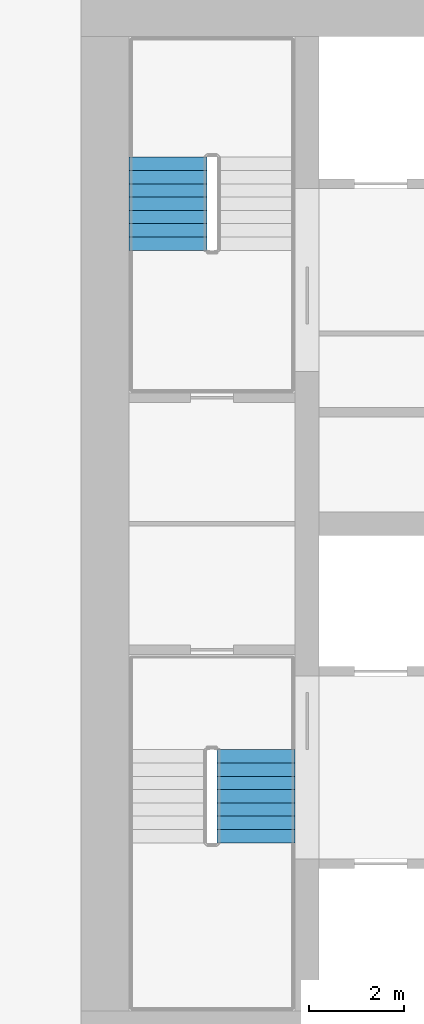
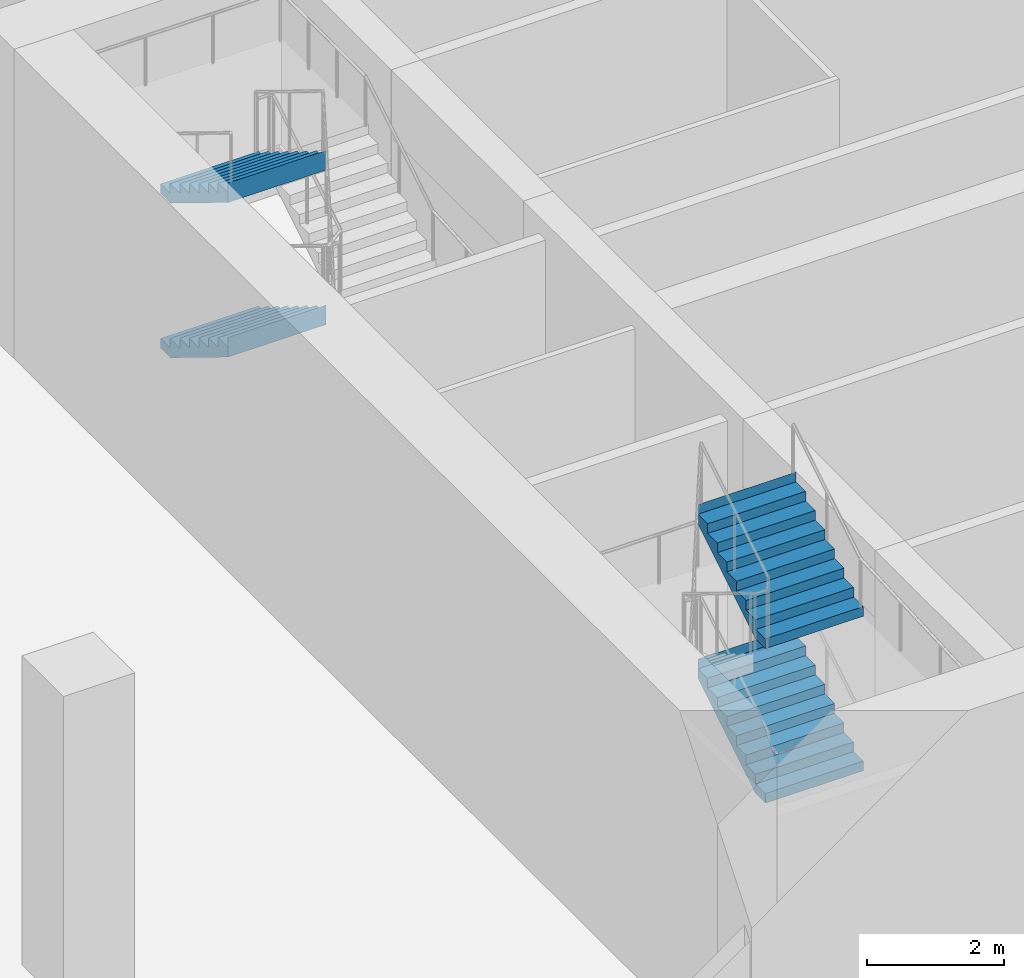
# One storey, part 14 of 25: 4 stair flights, 2 elements without a shape of their own.
"""IFC4 building model written with IfcOpenShell, lengths in metres."""

from ifc_helpers import new_model, si_unit, direction, frame, origin, place, context, subcontext, project, spatial, polyline, outline, extrude, material, type_object, element, aggregate, save


model = new_model("IFC4")

# Units and contexts
model_context = context("Model", 3, precision=1e-05, world=origin(), true_north=direction((0.0, 1.0)))
body_context = subcontext(model_context, "Body", "Model", "MODEL_VIEW")
ifc_project = project(units=[si_unit("LENGTHUNIT", "METRE"), si_unit("AREAUNIT", "SQUARE_METRE"), si_unit("VOLUMEUNIT", "CUBIC_METRE"), si_unit("PLANEANGLEUNIT", "RADIAN"), si_unit("MASSUNIT", "GRAM", prefix="KILO")], contexts=[model_context])

# Site, building, storey
site_placement = place(None, origin())
site = spatial("IfcSite", under=ifc_project, at=site_placement, CompositionType="ELEMENT")
building_placement = place(site_placement, origin())
building = spatial("IfcBuilding", under=site, at=building_placement, Name="Tamorin Gate", CompositionType="ELEMENT")
storey_placement = place(building_placement, frame((0.0, 0.0, 23.5)))
storey = spatial("IfcBuildingStorey", under=building, at=storey_placement, Name="L04", CompositionType="ELEMENT", Elevation=23.5)

# Stair, stair flights
ifc_material = material(Name="Concrete C40/50", Category="concrete")
stair_type = type_object("IfcStairType", Name="Exit stair", PredefinedType="HALF_TURN_STAIR", material=ifc_material)
stair_1_placement = place(storey_placement, origin())
stair_1 = element("IfcStair", 1, at=stair_1_placement, inside=storey, type_object=stair_type, Name="L04 stair ST1", PredefinedType="HALF_TURN_STAIR")
stair_flight_type = type_object("IfcStairFlightType", Name="Exit stair flight", PredefinedType="STRAIGHT", material=ifc_material)
stair_flight_1_placement = place(storey_placement, frame((33.675048828125, 64.5400390625, 1.375), z_axis=(0.0, 0.0, 1.0), x_axis=(0.0, 1.0, 0.0)))
stair_flight_1 = element("IfcStairFlight", 2, at=stair_flight_1_placement, type_object=stair_flight_type, Name="ST1 flight 2", NumberOfRisers=8, NumberOfTreads=7, PredefinedType="STRAIGHT", RiserHeight=0.171875, TreadLength=0.28, context=body_context, shape_type="SweptSolid", body=[
    extrude(outline(polyline([(-0.00048828125, 0.0), (-0.00048828125, 0.001708984375), (-0.00048828125, 0.00341796875), (-0.00048828125, 0.005126953125), (-0.00048828125, 0.0068359375), (-0.00048828125, 0.008544921875), (-0.00048828125, 0.01025390625), (-0.00048828125, 0.011962890625), (-0.00048828125, 0.013671875), (-0.00048828125, 0.015380859375), (-0.00048828125, 0.01708984375), (-0.00048828125, 0.018798828125), (-0.00048828125, 0.0205078125), (-0.00048828125, 0.022216796875), (-0.00048828125, 0.02392578125), (-0.00048828125, 0.025634765625), (-0.00048828125, 0.02734375), (-0.00048828125, 0.02880859375), (-0.00048828125, 0.030517578125), (-0.00048828125, 0.0322265625), (-0.00048828125, 0.033935546875), (-0.00048828125, 0.03564453125), (-0.00048828125, 0.037353515625), (-0.00048828125, 0.0390625), (-0.00048828125, 0.040771484375), (-0.00048828125, 0.04248046875), (-0.00048828125, 0.044189453125), (-0.00048828125, 0.0458984375), (-0.00048828125, 0.047607421875), (-0.00048828125, 0.04931640625), (-0.00048828125, 0.051025390625), (-0.00048828125, 0.052734375), (-0.00048828125, 0.054443359375), (-0.00048828125, 0.05615234375), (-0.00048828125, 0.057861328125), (-0.00048828125, 0.0595703125), (-0.00048828125, 0.061279296875), (-0.00048828125, 0.06298828125), (-0.00048828125, 0.064697265625), (-0.00048828125, 0.06640625), (-0.00048828125, 0.068115234375), (-0.00048828125, 0.06982421875), (-0.00048828125, 0.071533203125), (-0.00048828125, 0.0732421875), (-0.00048828125, 0.074951171875), (-0.00048828125, 0.07666015625), (-0.00048828125, 0.078369140625), (-0.00048828125, 0.080078125), (-0.00048828125, 0.081787109375), (-0.00048828125, 0.08349609375), (-0.00048828125, 0.085205078125), (-0.00048828125, 0.086669921875), (-0.00048828125, 0.08837890625), (-0.00048828125, 0.090087890625), (-0.00048828125, 0.091796875), (-0.00048828125, 0.093505859375), (-0.00048828125, 0.09521484375), (-0.00048828125, 0.096923828125), (-0.00048828125, 0.0986328125), (-0.00048828125, 0.100341796875), (-0.00048828125, 0.10205078125), (-0.00048828125, 0.103759765625), (-0.00048828125, 0.10546875), (-0.00048828125, 0.107177734375), (-0.00048828125, 0.10888671875), (-0.00048828125, 0.110595703125), (-0.00048828125, 0.1123046875), (-0.00048828125, 0.114013671875), (-0.00048828125, 0.11572265625), (-0.00048828125, 0.117431640625), (-0.00048828125, 0.119140625), (-0.00048828125, 0.120849609375), (-0.00048828125, 0.12255859375), (-0.00048828125, 0.124267578125), (-0.00048828125, 0.1259765625), (-0.00048828125, 0.127685546875), (-0.00048828125, 0.12939453125), (-0.00048828125, 0.131103515625), (-0.00048828125, 0.1328125), (-0.00048828125, 0.134521484375), (-0.00048828125, 0.13623046875), (-0.00048828125, 0.137939453125), (-0.00048828125, 0.1396484375), (-0.00048828125, 0.141357421875), (-0.00048828125, 0.14306640625), (-0.00048828125, 0.14453125), (-0.00048828125, 0.146240234375), (-0.00048828125, 0.14794921875), (-0.00048828125, 0.149658203125), (-0.00048828125, 0.1513671875), (-0.00048828125, 0.153076171875), (-0.00048828125, 0.15478515625), (-0.00048828125, 0.156494140625), (-0.00048828125, 0.158203125), (-0.00048828125, 0.159912109375), (-0.00048828125, 0.16162109375), (-0.00048828125, 0.163330078125), (-0.00048828125, 0.1650390625), (-0.00048828125, 0.166748046875), (-0.00048828125, 0.16845703125), (-0.00048828125, 0.170166015625), (-0.00048828125, 0.171875), (0.280029296875, 0.171875), (0.280029296875, 0.34375), (0.56005859375, 0.34375), (0.56005859375, 0.515625), (0.840087890625, 0.515625), (0.840087890625, 0.6875), (1.1201171875, 0.6875), (1.1201171875, 0.859375), (1.39990234375, 0.859375), (1.39990234375, 1.03125), (1.679931640625, 1.03125), (1.679931640625, 1.203125), (1.9599609375, 1.203125), (1.9599609375, 1.375), (1.96044921875, 1.375), (1.96044921875, 1.37158203125), (1.96044921875, 1.3681640625), (1.96044921875, 1.36474609375), (1.96044921875, 1.361328125), (1.96044921875, 1.357666015625), (1.96044921875, 1.354248046875), (1.96044921875, 1.350830078125), (1.96044921875, 1.347412109375), (1.96044921875, 1.343994140625), (1.96044921875, 1.340576171875), (1.96044921875, 1.337158203125), (1.96044921875, 1.333740234375), (1.96044921875, 1.330322265625), (1.96044921875, 1.326904296875), (1.96044921875, 1.3232421875), (1.96044921875, 1.31982421875), (1.96044921875, 1.31640625), (1.96044921875, 1.31298828125), (1.96044921875, 1.3095703125), (1.96044921875, 1.30615234375), (1.96044921875, 1.302734375), (1.96044921875, 1.29931640625), (1.96044921875, 1.2958984375), (1.96044921875, 1.29248046875), (1.96044921875, 1.288818359375), (1.96044921875, 1.285400390625), (1.96044921875, 1.281982421875), (1.96044921875, 1.278564453125), (1.96044921875, 1.275146484375), (1.96044921875, 1.271728515625), (1.96044921875, 1.268310546875), (1.96044921875, 1.264892578125), (1.96044921875, 1.261474609375), (1.96044921875, 1.2578125), (1.96044921875, 1.25439453125), (1.96044921875, 1.2509765625), (1.96044921875, 1.24755859375), (1.96044921875, 1.244140625), (1.96044921875, 1.24072265625), (1.96044921875, 1.2373046875), (1.96044921875, 1.23388671875), (1.96044921875, 1.23046875), (1.96044921875, 1.22705078125), (1.96044921875, 1.223388671875), (1.96044921875, 1.219970703125), (1.96044921875, 1.216552734375), (1.96044921875, 1.213134765625), (1.96044921875, 1.209716796875), (1.96044921875, 1.206298828125), (1.96044921875, 1.202880859375), (1.96044921875, 1.199462890625), (1.96044921875, 1.196044921875), (1.96044921875, 1.192626953125), (1.96044921875, 1.18896484375), (1.96044921875, 1.185546875), (1.96044921875, 1.18212890625), (1.96044921875, 1.1787109375), (1.96044921875, 1.17529296875), (1.96044921875, 1.171875), (1.96044921875, 1.16845703125), (1.96044921875, 1.1650390625), (1.96044921875, 1.16162109375), (1.96044921875, 1.157958984375), (1.96044921875, 1.154541015625), (1.96044921875, 1.151123046875), (1.96044921875, 1.147705078125), (1.96044921875, 1.144287109375), (1.96044921875, 1.140869140625), (1.96044921875, 1.137451171875), (1.96044921875, 1.134033203125), (1.96044921875, 1.130615234375), (1.96044921875, 1.127197265625), (1.96044921875, 1.12353515625), (1.96044921875, 1.1201171875), (1.96044921875, 1.11669921875), (1.96044921875, 1.11328125), (1.96044921875, 1.10986328125), (1.96044921875, 1.1064453125), (1.96044921875, 1.10302734375), (1.96044921875, 1.099609375), (1.96044921875, 1.09619140625), (1.96044921875, 1.0927734375), (1.96044921875, 1.089111328125), (1.96044921875, 1.085693359375), (1.96044921875, 1.082275390625), (1.96044921875, 1.078857421875), (1.96044921875, 1.075439453125), (1.96044921875, 1.072021484375), (1.96044921875, 1.068603515625), (1.96044921875, 1.065185546875), (1.96044921875, 1.061767578125), (1.96044921875, 1.05810546875), (1.96044921875, 1.0546875), (1.96044921875, 1.05126953125), (1.96044921875, 1.0478515625), (1.96044921875, 1.04443359375), (1.96044921875, 1.041015625), (1.96044921875, 1.03759765625), (1.96044921875, 1.0341796875), (1.96044921875, 1.03076171875), (1.96044921875, 1.02734375), (1.9599609375, 1.02734375), (0.28662109375, 0.0), (-0.00048828125, 0.0)])), frame((0.0, 0.824951171875, 0.0), z_axis=(0.0, -1.0, 0.0), x_axis=(1.0, 0.0, 0.0)), (0.0, 0.0, 1.0), 1.64990234375),
])
stair_flight_2_placement = place(storey_placement, frame((33.675048828125, 64.5400390625, 4.125), z_axis=(0.0, 0.0, 1.0), x_axis=(0.0, 1.0, 0.0)))
stair_flight_2 = element("IfcStairFlight", 3, at=stair_flight_2_placement, type_object=stair_flight_type, Name="ST1 flight 4", NumberOfRisers=8, NumberOfTreads=7, PredefinedType="STRAIGHT", RiserHeight=0.171875, TreadLength=0.28, context=body_context, shape_type="SweptSolid", body=[
    extrude(outline(polyline([(-0.00048828125, 0.0), (-0.00048828125, 0.001708984375), (-0.00048828125, 0.00341796875), (-0.00048828125, 0.005126953125), (-0.00048828125, 0.0068359375), (-0.00048828125, 0.008544921875), (-0.00048828125, 0.01025390625), (-0.00048828125, 0.011962890625), (-0.00048828125, 0.013671875), (-0.00048828125, 0.015380859375), (-0.00048828125, 0.01708984375), (-0.00048828125, 0.018798828125), (-0.00048828125, 0.0205078125), (-0.00048828125, 0.022216796875), (-0.00048828125, 0.02392578125), (-0.00048828125, 0.025634765625), (-0.00048828125, 0.02734375), (-0.00048828125, 0.02880859375), (-0.00048828125, 0.030517578125), (-0.00048828125, 0.0322265625), (-0.00048828125, 0.033935546875), (-0.00048828125, 0.03564453125), (-0.00048828125, 0.037353515625), (-0.00048828125, 0.0390625), (-0.00048828125, 0.040771484375), (-0.00048828125, 0.04248046875), (-0.00048828125, 0.044189453125), (-0.00048828125, 0.0458984375), (-0.00048828125, 0.047607421875), (-0.00048828125, 0.04931640625), (-0.00048828125, 0.051025390625), (-0.00048828125, 0.052734375), (-0.00048828125, 0.054443359375), (-0.00048828125, 0.05615234375), (-0.00048828125, 0.057861328125), (-0.00048828125, 0.0595703125), (-0.00048828125, 0.061279296875), (-0.00048828125, 0.06298828125), (-0.00048828125, 0.064697265625), (-0.00048828125, 0.06640625), (-0.00048828125, 0.068115234375), (-0.00048828125, 0.06982421875), (-0.00048828125, 0.071533203125), (-0.00048828125, 0.0732421875), (-0.00048828125, 0.074951171875), (-0.00048828125, 0.07666015625), (-0.00048828125, 0.078369140625), (-0.00048828125, 0.080078125), (-0.00048828125, 0.081787109375), (-0.00048828125, 0.08349609375), (-0.00048828125, 0.085205078125), (-0.00048828125, 0.086669921875), (-0.00048828125, 0.08837890625), (-0.00048828125, 0.090087890625), (-0.00048828125, 0.091796875), (-0.00048828125, 0.093505859375), (-0.00048828125, 0.09521484375), (-0.00048828125, 0.096923828125), (-0.00048828125, 0.0986328125), (-0.00048828125, 0.100341796875), (-0.00048828125, 0.10205078125), (-0.00048828125, 0.103759765625), (-0.00048828125, 0.10546875), (-0.00048828125, 0.107177734375), (-0.00048828125, 0.10888671875), (-0.00048828125, 0.110595703125), (-0.00048828125, 0.1123046875), (-0.00048828125, 0.114013671875), (-0.00048828125, 0.11572265625), (-0.00048828125, 0.117431640625), (-0.00048828125, 0.119140625), (-0.00048828125, 0.120849609375), (-0.00048828125, 0.12255859375), (-0.00048828125, 0.124267578125), (-0.00048828125, 0.1259765625), (-0.00048828125, 0.127685546875), (-0.00048828125, 0.12939453125), (-0.00048828125, 0.131103515625), (-0.00048828125, 0.1328125), (-0.00048828125, 0.134521484375), (-0.00048828125, 0.13623046875), (-0.00048828125, 0.137939453125), (-0.00048828125, 0.1396484375), (-0.00048828125, 0.141357421875), (-0.00048828125, 0.14306640625), (-0.00048828125, 0.14453125), (-0.00048828125, 0.146240234375), (-0.00048828125, 0.14794921875), (-0.00048828125, 0.149658203125), (-0.00048828125, 0.1513671875), (-0.00048828125, 0.153076171875), (-0.00048828125, 0.15478515625), (-0.00048828125, 0.156494140625), (-0.00048828125, 0.158203125), (-0.00048828125, 0.159912109375), (-0.00048828125, 0.16162109375), (-0.00048828125, 0.163330078125), (-0.00048828125, 0.1650390625), (-0.00048828125, 0.166748046875), (-0.00048828125, 0.16845703125), (-0.00048828125, 0.170166015625), (-0.00048828125, 0.171875), (0.280029296875, 0.171875), (0.280029296875, 0.34375), (0.56005859375, 0.34375), (0.56005859375, 0.515625), (0.840087890625, 0.515625), (0.840087890625, 0.6875), (1.1201171875, 0.6875), (1.1201171875, 0.859375), (1.39990234375, 0.859375), (1.39990234375, 1.03125), (1.679931640625, 1.03125), (1.679931640625, 1.203125), (1.9599609375, 1.203125), (1.9599609375, 1.375), (1.96044921875, 1.375), (1.96044921875, 1.37158203125), (1.96044921875, 1.3681640625), (1.96044921875, 1.36474609375), (1.96044921875, 1.361328125), (1.96044921875, 1.357666015625), (1.96044921875, 1.354248046875), (1.96044921875, 1.350830078125), (1.96044921875, 1.347412109375), (1.96044921875, 1.343994140625), (1.96044921875, 1.340576171875), (1.96044921875, 1.337158203125), (1.96044921875, 1.333740234375), (1.96044921875, 1.330322265625), (1.96044921875, 1.326904296875), (1.96044921875, 1.3232421875), (1.96044921875, 1.31982421875), (1.96044921875, 1.31640625), (1.96044921875, 1.31298828125), (1.96044921875, 1.3095703125), (1.96044921875, 1.30615234375), (1.96044921875, 1.302734375), (1.96044921875, 1.29931640625), (1.96044921875, 1.2958984375), (1.96044921875, 1.29248046875), (1.96044921875, 1.288818359375), (1.96044921875, 1.285400390625), (1.96044921875, 1.281982421875), (1.96044921875, 1.278564453125), (1.96044921875, 1.275146484375), (1.96044921875, 1.271728515625), (1.96044921875, 1.268310546875), (1.96044921875, 1.264892578125), (1.96044921875, 1.261474609375), (1.96044921875, 1.2578125), (1.96044921875, 1.25439453125), (1.96044921875, 1.2509765625), (1.96044921875, 1.24755859375), (1.96044921875, 1.244140625), (1.96044921875, 1.24072265625), (1.96044921875, 1.2373046875), (1.96044921875, 1.23388671875), (1.96044921875, 1.23046875), (1.96044921875, 1.22705078125), (1.96044921875, 1.223388671875), (1.96044921875, 1.219970703125), (1.96044921875, 1.216552734375), (1.96044921875, 1.213134765625), (1.96044921875, 1.209716796875), (1.96044921875, 1.206298828125), (1.96044921875, 1.202880859375), (1.96044921875, 1.199462890625), (1.96044921875, 1.196044921875), (1.96044921875, 1.192626953125), (1.96044921875, 1.18896484375), (1.96044921875, 1.185546875), (1.96044921875, 1.18212890625), (1.96044921875, 1.1787109375), (1.96044921875, 1.17529296875), (1.96044921875, 1.171875), (1.96044921875, 1.16845703125), (1.96044921875, 1.1650390625), (1.96044921875, 1.16162109375), (1.96044921875, 1.157958984375), (1.96044921875, 1.154541015625), (1.96044921875, 1.151123046875), (1.96044921875, 1.147705078125), (1.96044921875, 1.144287109375), (1.96044921875, 1.140869140625), (1.96044921875, 1.137451171875), (1.96044921875, 1.134033203125), (1.96044921875, 1.130615234375), (1.96044921875, 1.127197265625), (1.96044921875, 1.12353515625), (1.96044921875, 1.1201171875), (1.96044921875, 1.11669921875), (1.96044921875, 1.11328125), (1.96044921875, 1.10986328125), (1.96044921875, 1.1064453125), (1.96044921875, 1.10302734375), (1.96044921875, 1.099609375), (1.96044921875, 1.09619140625), (1.96044921875, 1.0927734375), (1.96044921875, 1.089111328125), (1.96044921875, 1.085693359375), (1.96044921875, 1.082275390625), (1.96044921875, 1.078857421875), (1.96044921875, 1.075439453125), (1.96044921875, 1.072021484375), (1.96044921875, 1.068603515625), (1.96044921875, 1.065185546875), (1.96044921875, 1.061767578125), (1.96044921875, 1.05810546875), (1.96044921875, 1.0546875), (1.96044921875, 1.05126953125), (1.96044921875, 1.0478515625), (1.96044921875, 1.04443359375), (1.96044921875, 1.041015625), (1.96044921875, 1.03759765625), (1.96044921875, 1.0341796875), (1.96044921875, 1.03076171875), (1.96044921875, 1.02734375), (1.9599609375, 1.02734375), (0.28662109375, 0.0), (-0.00048828125, 0.0)])), frame((0.0, 0.824951171875, 0.0), z_axis=(0.0, -1.0, 0.0), x_axis=(1.0, 0.0, 0.0)), (0.0, 0.0, 1.0), 1.64990234375),
])
aggregate(stair_1, [stair_flight_1, stair_flight_2])

stair_2_placement = place(storey_placement, origin())
stair_2 = element("IfcStair", 4, at=stair_2_placement, inside=storey, type_object=stair_type, Name="L04 stair ST2", PredefinedType="HALF_TURN_STAIR")
stair_flight_3_placement = place(storey_placement, frame((31.824951171875, 78.9599609375, 1.375), z_axis=(0.0, 0.0, 1.0), x_axis=(0.0, -1.0, 0.0)))
stair_flight_3 = element("IfcStairFlight", 5, at=stair_flight_3_placement, type_object=stair_flight_type, Name="ST2 flight 2", NumberOfRisers=8, NumberOfTreads=7, PredefinedType="STRAIGHT", RiserHeight=0.171875, TreadLength=0.28, context=body_context, shape_type="SweptSolid", body=[
    extrude(outline(polyline([(-0.00048828125, 0.0), (-0.00048828125, 0.001708984375), (-0.00048828125, 0.00341796875), (-0.00048828125, 0.005126953125), (-0.00048828125, 0.0068359375), (-0.00048828125, 0.008544921875), (-0.00048828125, 0.01025390625), (-0.00048828125, 0.011962890625), (-0.00048828125, 0.013671875), (-0.00048828125, 0.015380859375), (-0.00048828125, 0.01708984375), (-0.00048828125, 0.018798828125), (-0.00048828125, 0.0205078125), (-0.00048828125, 0.022216796875), (-0.00048828125, 0.02392578125), (-0.00048828125, 0.025634765625), (-0.00048828125, 0.02734375), (-0.00048828125, 0.02880859375), (-0.00048828125, 0.030517578125), (-0.00048828125, 0.0322265625), (-0.00048828125, 0.033935546875), (-0.00048828125, 0.03564453125), (-0.00048828125, 0.037353515625), (-0.00048828125, 0.0390625), (-0.00048828125, 0.040771484375), (-0.00048828125, 0.04248046875), (-0.00048828125, 0.044189453125), (-0.00048828125, 0.0458984375), (-0.00048828125, 0.047607421875), (-0.00048828125, 0.04931640625), (-0.00048828125, 0.051025390625), (-0.00048828125, 0.052734375), (-0.00048828125, 0.054443359375), (-0.00048828125, 0.05615234375), (-0.00048828125, 0.057861328125), (-0.00048828125, 0.0595703125), (-0.00048828125, 0.061279296875), (-0.00048828125, 0.06298828125), (-0.00048828125, 0.064697265625), (-0.00048828125, 0.06640625), (-0.00048828125, 0.068115234375), (-0.00048828125, 0.06982421875), (-0.00048828125, 0.071533203125), (-0.00048828125, 0.0732421875), (-0.00048828125, 0.074951171875), (-0.00048828125, 0.07666015625), (-0.00048828125, 0.078369140625), (-0.00048828125, 0.080078125), (-0.00048828125, 0.081787109375), (-0.00048828125, 0.08349609375), (-0.00048828125, 0.085205078125), (-0.00048828125, 0.086669921875), (-0.00048828125, 0.08837890625), (-0.00048828125, 0.090087890625), (-0.00048828125, 0.091796875), (-0.00048828125, 0.093505859375), (-0.00048828125, 0.09521484375), (-0.00048828125, 0.096923828125), (-0.00048828125, 0.0986328125), (-0.00048828125, 0.100341796875), (-0.00048828125, 0.10205078125), (-0.00048828125, 0.103759765625), (-0.00048828125, 0.10546875), (-0.00048828125, 0.107177734375), (-0.00048828125, 0.10888671875), (-0.00048828125, 0.110595703125), (-0.00048828125, 0.1123046875), (-0.00048828125, 0.114013671875), (-0.00048828125, 0.11572265625), (-0.00048828125, 0.117431640625), (-0.00048828125, 0.119140625), (-0.00048828125, 0.120849609375), (-0.00048828125, 0.12255859375), (-0.00048828125, 0.124267578125), (-0.00048828125, 0.1259765625), (-0.00048828125, 0.127685546875), (-0.00048828125, 0.12939453125), (-0.00048828125, 0.131103515625), (-0.00048828125, 0.1328125), (-0.00048828125, 0.134521484375), (-0.00048828125, 0.13623046875), (-0.00048828125, 0.137939453125), (-0.00048828125, 0.1396484375), (-0.00048828125, 0.141357421875), (-0.00048828125, 0.14306640625), (-0.00048828125, 0.14453125), (-0.00048828125, 0.146240234375), (-0.00048828125, 0.14794921875), (-0.00048828125, 0.149658203125), (-0.00048828125, 0.1513671875), (-0.00048828125, 0.153076171875), (-0.00048828125, 0.15478515625), (-0.00048828125, 0.156494140625), (-0.00048828125, 0.158203125), (-0.00048828125, 0.159912109375), (-0.00048828125, 0.16162109375), (-0.00048828125, 0.163330078125), (-0.00048828125, 0.1650390625), (-0.00048828125, 0.166748046875), (-0.00048828125, 0.16845703125), (-0.00048828125, 0.170166015625), (-0.00048828125, 0.171875), (0.280029296875, 0.171875), (0.280029296875, 0.34375), (0.56005859375, 0.34375), (0.56005859375, 0.515625), (0.840087890625, 0.515625), (0.840087890625, 0.6875), (1.1201171875, 0.6875), (1.1201171875, 0.859375), (1.39990234375, 0.859375), (1.39990234375, 1.03125), (1.679931640625, 1.03125), (1.679931640625, 1.203125), (1.9599609375, 1.203125), (1.9599609375, 1.375), (1.96044921875, 1.375), (1.96044921875, 1.37158203125), (1.96044921875, 1.3681640625), (1.96044921875, 1.36474609375), (1.96044921875, 1.361328125), (1.96044921875, 1.357666015625), (1.96044921875, 1.354248046875), (1.96044921875, 1.350830078125), (1.96044921875, 1.347412109375), (1.96044921875, 1.343994140625), (1.96044921875, 1.340576171875), (1.96044921875, 1.337158203125), (1.96044921875, 1.333740234375), (1.96044921875, 1.330322265625), (1.96044921875, 1.326904296875), (1.96044921875, 1.3232421875), (1.96044921875, 1.31982421875), (1.96044921875, 1.31640625), (1.96044921875, 1.31298828125), (1.96044921875, 1.3095703125), (1.96044921875, 1.30615234375), (1.96044921875, 1.302734375), (1.96044921875, 1.29931640625), (1.96044921875, 1.2958984375), (1.96044921875, 1.29248046875), (1.96044921875, 1.288818359375), (1.96044921875, 1.285400390625), (1.96044921875, 1.281982421875), (1.96044921875, 1.278564453125), (1.96044921875, 1.275146484375), (1.96044921875, 1.271728515625), (1.96044921875, 1.268310546875), (1.96044921875, 1.264892578125), (1.96044921875, 1.261474609375), (1.96044921875, 1.2578125), (1.96044921875, 1.25439453125), (1.96044921875, 1.2509765625), (1.96044921875, 1.24755859375), (1.96044921875, 1.244140625), (1.96044921875, 1.24072265625), (1.96044921875, 1.2373046875), (1.96044921875, 1.23388671875), (1.96044921875, 1.23046875), (1.96044921875, 1.22705078125), (1.96044921875, 1.223388671875), (1.96044921875, 1.219970703125), (1.96044921875, 1.216552734375), (1.96044921875, 1.213134765625), (1.96044921875, 1.209716796875), (1.96044921875, 1.206298828125), (1.96044921875, 1.202880859375), (1.96044921875, 1.199462890625), (1.96044921875, 1.196044921875), (1.96044921875, 1.192626953125), (1.96044921875, 1.18896484375), (1.96044921875, 1.185546875), (1.96044921875, 1.18212890625), (1.96044921875, 1.1787109375), (1.96044921875, 1.17529296875), (1.96044921875, 1.171875), (1.96044921875, 1.16845703125), (1.96044921875, 1.1650390625), (1.96044921875, 1.16162109375), (1.96044921875, 1.157958984375), (1.96044921875, 1.154541015625), (1.96044921875, 1.151123046875), (1.96044921875, 1.147705078125), (1.96044921875, 1.144287109375), (1.96044921875, 1.140869140625), (1.96044921875, 1.137451171875), (1.96044921875, 1.134033203125), (1.96044921875, 1.130615234375), (1.96044921875, 1.127197265625), (1.96044921875, 1.12353515625), (1.96044921875, 1.1201171875), (1.96044921875, 1.11669921875), (1.96044921875, 1.11328125), (1.96044921875, 1.10986328125), (1.96044921875, 1.1064453125), (1.96044921875, 1.10302734375), (1.96044921875, 1.099609375), (1.96044921875, 1.09619140625), (1.96044921875, 1.0927734375), (1.96044921875, 1.089111328125), (1.96044921875, 1.085693359375), (1.96044921875, 1.082275390625), (1.96044921875, 1.078857421875), (1.96044921875, 1.075439453125), (1.96044921875, 1.072021484375), (1.96044921875, 1.068603515625), (1.96044921875, 1.065185546875), (1.96044921875, 1.061767578125), (1.96044921875, 1.05810546875), (1.96044921875, 1.0546875), (1.96044921875, 1.05126953125), (1.96044921875, 1.0478515625), (1.96044921875, 1.04443359375), (1.96044921875, 1.041015625), (1.96044921875, 1.03759765625), (1.96044921875, 1.0341796875), (1.96044921875, 1.03076171875), (1.96044921875, 1.02734375), (1.9599609375, 1.02734375), (0.28662109375, 0.0), (-0.00048828125, 0.0)])), frame((0.0, 0.824951171875, 0.0), z_axis=(0.0, -1.0, 0.0), x_axis=(1.0, 0.0, 0.0)), (0.0, 0.0, 1.0), 1.64990234375),
])
stair_flight_4_placement = place(storey_placement, frame((31.824951171875, 78.9599609375, 4.125), z_axis=(0.0, 0.0, 1.0), x_axis=(0.0, -1.0, 0.0)))
stair_flight_4 = element("IfcStairFlight", 6, at=stair_flight_4_placement, type_object=stair_flight_type, Name="ST2 flight 4", NumberOfRisers=8, NumberOfTreads=7, PredefinedType="STRAIGHT", RiserHeight=0.171875, TreadLength=0.28, context=body_context, shape_type="SweptSolid", body=[
    extrude(outline(polyline([(-0.00048828125, 0.0), (-0.00048828125, 0.001708984375), (-0.00048828125, 0.00341796875), (-0.00048828125, 0.005126953125), (-0.00048828125, 0.0068359375), (-0.00048828125, 0.008544921875), (-0.00048828125, 0.01025390625), (-0.00048828125, 0.011962890625), (-0.00048828125, 0.013671875), (-0.00048828125, 0.015380859375), (-0.00048828125, 0.01708984375), (-0.00048828125, 0.018798828125), (-0.00048828125, 0.0205078125), (-0.00048828125, 0.022216796875), (-0.00048828125, 0.02392578125), (-0.00048828125, 0.025634765625), (-0.00048828125, 0.02734375), (-0.00048828125, 0.02880859375), (-0.00048828125, 0.030517578125), (-0.00048828125, 0.0322265625), (-0.00048828125, 0.033935546875), (-0.00048828125, 0.03564453125), (-0.00048828125, 0.037353515625), (-0.00048828125, 0.0390625), (-0.00048828125, 0.040771484375), (-0.00048828125, 0.04248046875), (-0.00048828125, 0.044189453125), (-0.00048828125, 0.0458984375), (-0.00048828125, 0.047607421875), (-0.00048828125, 0.04931640625), (-0.00048828125, 0.051025390625), (-0.00048828125, 0.052734375), (-0.00048828125, 0.054443359375), (-0.00048828125, 0.05615234375), (-0.00048828125, 0.057861328125), (-0.00048828125, 0.0595703125), (-0.00048828125, 0.061279296875), (-0.00048828125, 0.06298828125), (-0.00048828125, 0.064697265625), (-0.00048828125, 0.06640625), (-0.00048828125, 0.068115234375), (-0.00048828125, 0.06982421875), (-0.00048828125, 0.071533203125), (-0.00048828125, 0.0732421875), (-0.00048828125, 0.074951171875), (-0.00048828125, 0.07666015625), (-0.00048828125, 0.078369140625), (-0.00048828125, 0.080078125), (-0.00048828125, 0.081787109375), (-0.00048828125, 0.08349609375), (-0.00048828125, 0.085205078125), (-0.00048828125, 0.086669921875), (-0.00048828125, 0.08837890625), (-0.00048828125, 0.090087890625), (-0.00048828125, 0.091796875), (-0.00048828125, 0.093505859375), (-0.00048828125, 0.09521484375), (-0.00048828125, 0.096923828125), (-0.00048828125, 0.0986328125), (-0.00048828125, 0.100341796875), (-0.00048828125, 0.10205078125), (-0.00048828125, 0.103759765625), (-0.00048828125, 0.10546875), (-0.00048828125, 0.107177734375), (-0.00048828125, 0.10888671875), (-0.00048828125, 0.110595703125), (-0.00048828125, 0.1123046875), (-0.00048828125, 0.114013671875), (-0.00048828125, 0.11572265625), (-0.00048828125, 0.117431640625), (-0.00048828125, 0.119140625), (-0.00048828125, 0.120849609375), (-0.00048828125, 0.12255859375), (-0.00048828125, 0.124267578125), (-0.00048828125, 0.1259765625), (-0.00048828125, 0.127685546875), (-0.00048828125, 0.12939453125), (-0.00048828125, 0.131103515625), (-0.00048828125, 0.1328125), (-0.00048828125, 0.134521484375), (-0.00048828125, 0.13623046875), (-0.00048828125, 0.137939453125), (-0.00048828125, 0.1396484375), (-0.00048828125, 0.141357421875), (-0.00048828125, 0.14306640625), (-0.00048828125, 0.14453125), (-0.00048828125, 0.146240234375), (-0.00048828125, 0.14794921875), (-0.00048828125, 0.149658203125), (-0.00048828125, 0.1513671875), (-0.00048828125, 0.153076171875), (-0.00048828125, 0.15478515625), (-0.00048828125, 0.156494140625), (-0.00048828125, 0.158203125), (-0.00048828125, 0.159912109375), (-0.00048828125, 0.16162109375), (-0.00048828125, 0.163330078125), (-0.00048828125, 0.1650390625), (-0.00048828125, 0.166748046875), (-0.00048828125, 0.16845703125), (-0.00048828125, 0.170166015625), (-0.00048828125, 0.171875), (0.280029296875, 0.171875), (0.280029296875, 0.34375), (0.56005859375, 0.34375), (0.56005859375, 0.515625), (0.840087890625, 0.515625), (0.840087890625, 0.6875), (1.1201171875, 0.6875), (1.1201171875, 0.859375), (1.39990234375, 0.859375), (1.39990234375, 1.03125), (1.679931640625, 1.03125), (1.679931640625, 1.203125), (1.9599609375, 1.203125), (1.9599609375, 1.375), (1.96044921875, 1.375), (1.96044921875, 1.37158203125), (1.96044921875, 1.3681640625), (1.96044921875, 1.36474609375), (1.96044921875, 1.361328125), (1.96044921875, 1.357666015625), (1.96044921875, 1.354248046875), (1.96044921875, 1.350830078125), (1.96044921875, 1.347412109375), (1.96044921875, 1.343994140625), (1.96044921875, 1.340576171875), (1.96044921875, 1.337158203125), (1.96044921875, 1.333740234375), (1.96044921875, 1.330322265625), (1.96044921875, 1.326904296875), (1.96044921875, 1.3232421875), (1.96044921875, 1.31982421875), (1.96044921875, 1.31640625), (1.96044921875, 1.31298828125), (1.96044921875, 1.3095703125), (1.96044921875, 1.30615234375), (1.96044921875, 1.302734375), (1.96044921875, 1.29931640625), (1.96044921875, 1.2958984375), (1.96044921875, 1.29248046875), (1.96044921875, 1.288818359375), (1.96044921875, 1.285400390625), (1.96044921875, 1.281982421875), (1.96044921875, 1.278564453125), (1.96044921875, 1.275146484375), (1.96044921875, 1.271728515625), (1.96044921875, 1.268310546875), (1.96044921875, 1.264892578125), (1.96044921875, 1.261474609375), (1.96044921875, 1.2578125), (1.96044921875, 1.25439453125), (1.96044921875, 1.2509765625), (1.96044921875, 1.24755859375), (1.96044921875, 1.244140625), (1.96044921875, 1.24072265625), (1.96044921875, 1.2373046875), (1.96044921875, 1.23388671875), (1.96044921875, 1.23046875), (1.96044921875, 1.22705078125), (1.96044921875, 1.223388671875), (1.96044921875, 1.219970703125), (1.96044921875, 1.216552734375), (1.96044921875, 1.213134765625), (1.96044921875, 1.209716796875), (1.96044921875, 1.206298828125), (1.96044921875, 1.202880859375), (1.96044921875, 1.199462890625), (1.96044921875, 1.196044921875), (1.96044921875, 1.192626953125), (1.96044921875, 1.18896484375), (1.96044921875, 1.185546875), (1.96044921875, 1.18212890625), (1.96044921875, 1.1787109375), (1.96044921875, 1.17529296875), (1.96044921875, 1.171875), (1.96044921875, 1.16845703125), (1.96044921875, 1.1650390625), (1.96044921875, 1.16162109375), (1.96044921875, 1.157958984375), (1.96044921875, 1.154541015625), (1.96044921875, 1.151123046875), (1.96044921875, 1.147705078125), (1.96044921875, 1.144287109375), (1.96044921875, 1.140869140625), (1.96044921875, 1.137451171875), (1.96044921875, 1.134033203125), (1.96044921875, 1.130615234375), (1.96044921875, 1.127197265625), (1.96044921875, 1.12353515625), (1.96044921875, 1.1201171875), (1.96044921875, 1.11669921875), (1.96044921875, 1.11328125), (1.96044921875, 1.10986328125), (1.96044921875, 1.1064453125), (1.96044921875, 1.10302734375), (1.96044921875, 1.099609375), (1.96044921875, 1.09619140625), (1.96044921875, 1.0927734375), (1.96044921875, 1.089111328125), (1.96044921875, 1.085693359375), (1.96044921875, 1.082275390625), (1.96044921875, 1.078857421875), (1.96044921875, 1.075439453125), (1.96044921875, 1.072021484375), (1.96044921875, 1.068603515625), (1.96044921875, 1.065185546875), (1.96044921875, 1.061767578125), (1.96044921875, 1.05810546875), (1.96044921875, 1.0546875), (1.96044921875, 1.05126953125), (1.96044921875, 1.0478515625), (1.96044921875, 1.04443359375), (1.96044921875, 1.041015625), (1.96044921875, 1.03759765625), (1.96044921875, 1.0341796875), (1.96044921875, 1.03076171875), (1.96044921875, 1.02734375), (1.9599609375, 1.02734375), (0.28662109375, 0.0), (-0.00048828125, 0.0)])), frame((0.0, 0.824951171875, 0.0), z_axis=(0.0, -1.0, 0.0), x_axis=(1.0, 0.0, 0.0)), (0.0, 0.0, 1.0), 1.64990234375),
])
aggregate(stair_2, [stair_flight_3, stair_flight_4])

save(model, "model.ifc")
